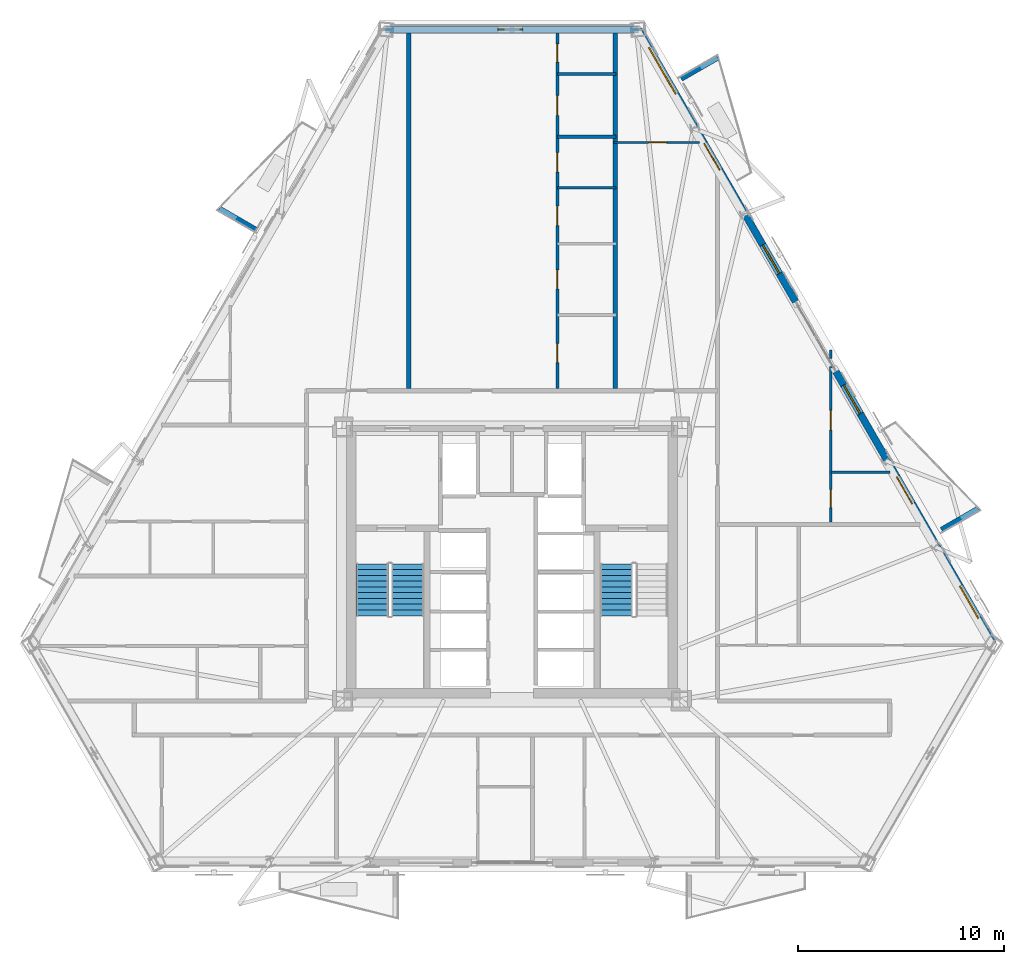
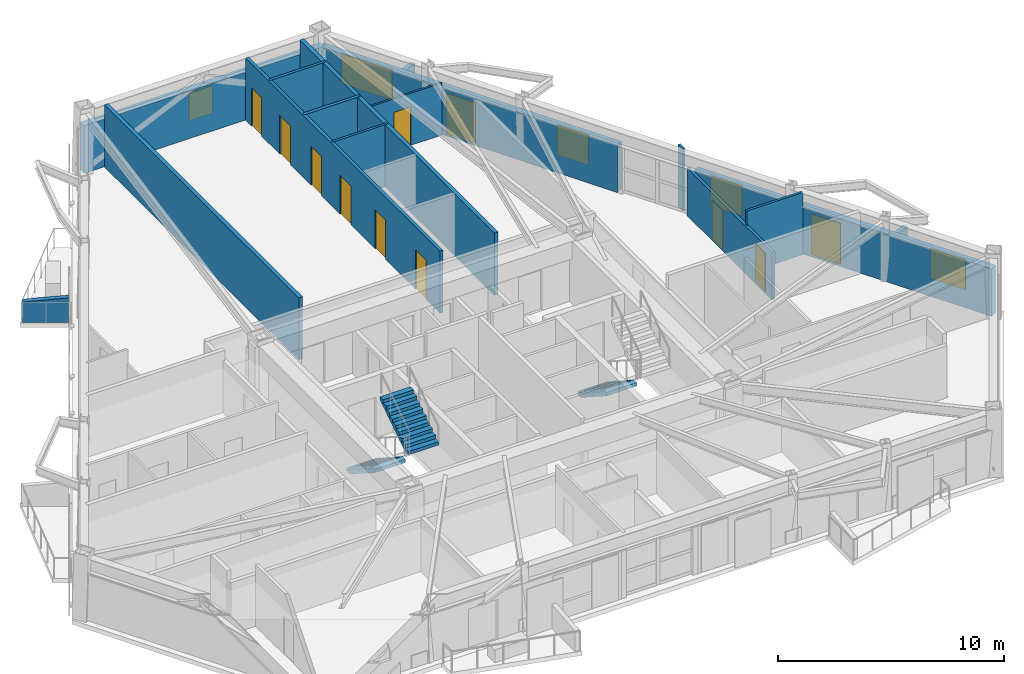
# One storey, part 10 of 15: 16 walls, 11 doors, 5 windows, 3 stair flights, 16 openings, 2 elements without a shape of their own.
"""IFC4 building model written with IfcOpenShell, lengths in metres."""

from ifc_helpers import new_model, si_unit, direction, frame, frame_2d, origin, place, context, subcontext, project, spatial, polyline, rectangle, outline, extrude, material, layer, layer_set, type_object, element, fill, aggregate, save


model = new_model("IFC4")

# Units and contexts
model_context = context("Model", 3, precision=1e-05, world=origin(), true_north=direction((0.0, 1.0)))
body_context = subcontext(model_context, "Body", "Model", "MODEL_VIEW")
ifc_project = project(units=[si_unit("LENGTHUNIT", "METRE"), si_unit("AREAUNIT", "SQUARE_METRE"), si_unit("VOLUMEUNIT", "CUBIC_METRE"), si_unit("PLANEANGLEUNIT", "RADIAN"), si_unit("MASSUNIT", "GRAM", prefix="KILO")], contexts=[model_context])

# Site, building, storey
site_placement = place(None, origin())
site = spatial("IfcSite", under=ifc_project, at=site_placement, CompositionType="ELEMENT")
building_placement = place(site_placement, origin())
building = spatial("IfcBuilding", under=site, at=building_placement, Name="Oramaril Tower", CompositionType="ELEMENT")
storey_placement = place(building_placement, frame((0.0, 0.0, 93.300048828125)))
storey = spatial("IfcBuildingStorey", under=building, at=storey_placement, Name="L24", CompositionType="ELEMENT", Elevation=93.300048828125)

# Wall, openings, door, windows
ifc_material_1 = material(Name="Warm Cream Limestone", Category="masonry")
ifc_layer_1 = layer(ifc_material_1, 0.340087890625)
ifc_layer_set_1 = layer_set([ifc_layer_1], Name="WT-EXT34")
wall_type_1 = type_object("IfcWallType", Name="WT-EXT34", PredefinedType="SOLIDWALL", material=ifc_layer_set_1)
wall_1_placement = place(storey_placement, frame((60.802734375, 13.71826171875, 0.0), z_axis=(0.0, 0.0, 1.0), x_axis=(-0.499996310492, 0.866027533913, 0.0)))
wall_1 = element("IfcWall", 1, at=wall_1_placement, inside=storey, type_object=wall_type_1, Name="L24 Tower Limestone Facade Wall 4L", PredefinedType="SOLIDWALL", context=body_context, shape_type="SweptSolid", body=[
    extrude(rectangle(XDim=15.22802734375, YDim=0.340087890625, at=frame_2d((7.614013671875, 0.0))), origin(), (0.0, 0.0, 1.0), 2.577880859375),
])
opening_1_placement = place(wall_1_placement, frame((7.824462890625, 0.0, 0.0)))
opening_1 = element("IfcOpeningElement", 2, at=opening_1_placement, cuts=wall_1, Name="Opening D-L24-BAL-NE1", PredefinedType="OPENING", context=body_context, shape_type="SweptSolid", body=[
    extrude(rectangle(XDim=1.5, YDim=2.199951171875, at=frame_2d((0.75, 1.10009765625))), frame((0.0, 0.169921875, 0.0), z_axis=(0.0, -1.0, 0.0), x_axis=(1.0, 0.0, 0.0)), (0.0, 0.0, 1.0), 0.340087890625),
])
opening_2_placement = place(wall_1_placement, frame((1.4169921875, 0.0, 0.85009765625)))
opening_2 = element("IfcOpeningElement", 3, at=opening_2_placement, cuts=wall_1, Name="Opening WN-06", PredefinedType="OPENING", context=body_context, shape_type="SweptSolid", body=[
    extrude(rectangle(XDim=1.800048828125, YDim=1.617919921875, at=frame_2d((0.89990234375, 0.80908203125))), frame((0.0, 0.169921875, 0.0), z_axis=(0.0, -1.0, 0.0), x_axis=(1.0, 0.0, 0.0)), (0.0, 0.0, 1.0), 0.340087890625),
])
opening_3_placement = place(wall_1_placement, frame((12.86328125, 0.0, 0.85009765625)))
opening_3 = element("IfcOpeningElement", 4, at=opening_3_placement, cuts=wall_1, Name="Opening WN-07", PredefinedType="OPENING", context=body_context, shape_type="SweptSolid", body=[
    extrude(rectangle(XDim=1.60009765625, YDim=1.617919921875, at=frame_2d((0.800048828125, 0.80908203125))), frame((0.0, 0.169921875, 0.0), z_axis=(0.0, -1.0, 0.0), x_axis=(1.0, 0.0, 0.0)), (0.0, 0.0, 1.0), 0.340087890625),
])
ifc_material_2 = material(Name="Anodised Aluminium 6063-T6", Category="aluminium")
door_type_1 = type_object("IfcDoorType", Name="DT-BAL", OperationType="NOTDEFINED", PredefinedType="DOOR", material=ifc_material_2)
door_1_placement = place(opening_1_placement, origin())
door_1 = element("IfcDoor", 5, at=door_1_placement, inside=storey, type_object=door_type_1, Name="L24 Balcony Glazed Door L24-BAL-NE1", OperationType="SINGLE_SWING_LEFT", OverallHeight=2.199951171875, OverallWidth=1.5, PredefinedType="DOOR", context=body_context, shape_type="SweptSolid", body=[
    extrude(rectangle(XDim=1.5, YDim=2.199951171875, at=frame_2d((0.75, 1.10009765625))), frame((0.0, 0.02490234375, 0.0), z_axis=(0.0, -1.0, 0.0), x_axis=(1.0, 0.0, 0.0)), (0.0, 0.0, 1.0), 0.050048828125),
])
fill(opening_1, door_1)
ifc_material_3 = material(Name="Coastal Low-E Insulated Glass", Category="glass")
window_type_1 = type_object("IfcWindowType", Name="WNT-06", PartitioningType="SINGLE_PANEL", PredefinedType="WINDOW", material=ifc_material_3)
window_1_placement = place(opening_2_placement, origin())
window_1 = element("IfcWindow", 6, at=window_1_placement, inside=storey, type_object=window_type_1, Name="L24 Chicago Bay Window WN-06", OverallHeight=1.617919921875, OverallWidth=1.800048828125, PartitioningType="SINGLE_PANEL", PredefinedType="WINDOW", context=body_context, shape_type="SweptSolid", body=[
    extrude(rectangle(XDim=1.800048828125, YDim=1.617919921875, at=frame_2d((0.89990234375, 0.80908203125))), frame((0.0, 0.030029296875, 0.0), z_axis=(0.0, -1.0, 0.0), x_axis=(1.0, 0.0, 0.0)), (0.0, 0.0, 1.0), 0.06005859375),
])
fill(opening_2, window_1)
ifc_material_4 = material(Name="Coastal Low-E Insulated Glass", Category="glass")
window_type_2 = type_object("IfcWindowType", Name="WNT-07", PartitioningType="SINGLE_PANEL", PredefinedType="WINDOW", material=ifc_material_4)
window_2_placement = place(opening_3_placement, origin())
window_2 = element("IfcWindow", 7, at=window_2_placement, inside=storey, type_object=window_type_2, Name="L24 Chicago Bay Window WN-07", OverallHeight=1.617919921875, OverallWidth=1.60009765625, PartitioningType="SINGLE_PANEL", PredefinedType="WINDOW", context=body_context, shape_type="SweptSolid", body=[
    extrude(rectangle(XDim=1.60009765625, YDim=1.617919921875, at=frame_2d((0.800048828125, 0.80908203125))), frame((0.0, 0.030029296875, 0.0), z_axis=(0.0, -1.0, 0.0), x_axis=(1.0, 0.0, 0.0)), (0.0, 0.0, 1.0), 0.06005859375),
])
fill(opening_3, window_2)

wall_2_placement = place(storey_placement, frame((51.23876953125, 30.28369140625, 0.0), z_axis=(0.0, 0.0, 1.0), x_axis=(-0.499996310492, 0.866027533913, 0.0)))
wall_2 = element("IfcWall", 8, at=wall_2_placement, inside=storey, type_object=wall_type_1, Name="L24 Tower Limestone Facade Wall 4R", PredefinedType="SOLIDWALL", context=body_context, shape_type="SweptSolid", body=[
    extrude(rectangle(XDim=15.22802734375, YDim=0.340087890625, at=frame_2d((7.614013671875, 0.0))), origin(), (0.0, 0.0, 1.0), 2.577880859375),
])
opening_4_placement = place(wall_2_placement, frame((7.35888671875, 0.0, 0.0)))
opening_4 = element("IfcOpeningElement", 9, at=opening_4_placement, cuts=wall_2, Name="Opening D-L24-BAL-NE2", PredefinedType="OPENING", context=body_context, shape_type="SweptSolid", body=[
    extrude(rectangle(XDim=1.5, YDim=2.199951171875, at=frame_2d((0.75, 1.10009765625))), frame((0.0, 0.169921875, 0.0), z_axis=(0.0, -1.0, 0.0), x_axis=(1.0, 0.0, 0.0)), (0.0, 0.0, 1.0), 0.340087890625),
])
opening_5_placement = place(wall_2_placement, frame((1.578857421875, 0.0, 0.85009765625)))
opening_5 = element("IfcOpeningElement", 10, at=opening_5_placement, cuts=wall_2, Name="Opening WN-07", PredefinedType="OPENING", context=body_context, shape_type="SweptSolid", body=[
    extrude(rectangle(XDim=1.60009765625, YDim=1.617919921875, at=frame_2d((0.800048828125, 0.80908203125))), frame((0.0, 0.169921875, 0.0), z_axis=(0.0, -1.0, 0.0), x_axis=(1.0, 0.0, 0.0)), (0.0, 0.0, 1.0), 0.340087890625),
])
opening_6_placement = place(wall_2_placement, frame((11.614501953125, 0.0, 0.85009765625)))
opening_6 = element("IfcOpeningElement", 11, at=opening_6_placement, cuts=wall_2, Name="Opening WN-02", PredefinedType="OPENING", context=body_context, shape_type="SweptSolid", body=[
    extrude(rectangle(XDim=2.60009765625, YDim=1.617919921875, at=frame_2d((1.300048828125, 0.80908203125))), frame((0.0, 0.169921875, 0.0), z_axis=(0.0, -1.0, 0.0), x_axis=(1.0, 0.0, 0.0)), (0.0, 0.0, 1.0), 0.340087890625),
])
door_2_placement = place(opening_4_placement, origin())
door_2 = element("IfcDoor", 12, at=door_2_placement, inside=storey, type_object=door_type_1, Name="L24 Balcony Glazed Door L24-BAL-NE2", OperationType="SINGLE_SWING_RIGHT", OverallHeight=2.199951171875, OverallWidth=1.5, PredefinedType="DOOR", context=body_context, shape_type="SweptSolid", body=[
    extrude(rectangle(XDim=1.5, YDim=2.199951171875, at=frame_2d((0.75, 1.10009765625))), frame((0.0, 0.02490234375, 0.0), z_axis=(0.0, -1.0, 0.0), x_axis=(1.0, 0.0, 0.0)), (0.0, 0.0, 1.0), 0.050048828125),
])
fill(opening_4, door_2)
ifc_material_5 = material(Name="Coastal Low-E Insulated Glass", Category="glass")
window_type_3 = type_object("IfcWindowType", Name="WNT-02", PartitioningType="SINGLE_PANEL", PredefinedType="WINDOW", material=ifc_material_5)
window_3_placement = place(opening_6_placement, origin())
window_3 = element("IfcWindow", 13, at=window_3_placement, inside=storey, type_object=window_type_3, Name="L24 Chicago Bay Window WN-02", OverallHeight=1.617919921875, OverallWidth=2.60009765625, PartitioningType="SINGLE_PANEL", PredefinedType="WINDOW", context=body_context, shape_type="SweptSolid", body=[
    extrude(rectangle(XDim=2.60009765625, YDim=1.617919921875, at=frame_2d((1.300048828125, 0.80908203125))), frame((0.0, 0.030029296875, 0.0), z_axis=(0.0, -1.0, 0.0), x_axis=(1.0, 0.0, 0.0)), (0.0, 0.0, 1.0), 0.06005859375),
])
fill(opening_6, window_3)
window_4_placement = place(opening_5_placement, origin())
window_4 = element("IfcWindow", 14, at=window_4_placement, inside=storey, type_object=window_type_2, Name="L24 Chicago Bay Window WN-07", OverallHeight=1.617919921875, OverallWidth=1.60009765625, PartitioningType="SINGLE_PANEL", PredefinedType="WINDOW", context=body_context, shape_type="SweptSolid", body=[
    extrude(rectangle(XDim=1.60009765625, YDim=1.617919921875, at=frame_2d((0.800048828125, 0.80908203125))), frame((0.0, 0.030029296875, 0.0), z_axis=(0.0, -1.0, 0.0), x_axis=(1.0, 0.0, 0.0)), (0.0, 0.0, 1.0), 0.06005859375),
])
fill(opening_5, window_4)

# Wall, opening, window
wall_3_placement = place(storey_placement, frame((43.624755859375, 43.4716796875, 0.0), z_axis=(0.0, 0.0, 1.0), x_axis=(-1.0, 0.0, 0.0)))
wall_3 = element("IfcWall", 15, at=wall_3_placement, inside=storey, type_object=wall_type_1, Name="L24 Tower Limestone Facade Wall 5M", PredefinedType="SOLIDWALL", context=body_context, shape_type="SweptSolid", body=[
    extrude(rectangle(XDim=12.24951171875, YDim=0.340087890625, at=frame_2d((6.124755859375, 0.0))), origin(), (0.0, 0.0, 1.0), 2.577880859375),
])
opening_7_placement = place(wall_3_placement, frame((5.60400390625, 0.0, 0.85009765625)))
opening_7 = element("IfcOpeningElement", 16, at=opening_7_placement, cuts=wall_3, Name="Opening WN-09", PredefinedType="OPENING", context=body_context, shape_type="SweptSolid", body=[
    extrude(rectangle(XDim=1.199951171875, YDim=1.47998046875, at=frame_2d((0.60009765625, 0.739990234375))), frame((0.0, 0.169921875, 0.0), z_axis=(0.0, -1.0, 0.0), x_axis=(1.0, 0.0, 0.0)), (0.0, 0.0, 1.0), 0.340087890625),
])
ifc_material_6 = material(Name="Coastal Low-E Insulated Glass", Category="glass")
window_type_4 = type_object("IfcWindowType", Name="WNT-09", PartitioningType="SINGLE_PANEL", PredefinedType="WINDOW", material=ifc_material_6)
window_5_placement = place(opening_7_placement, origin())
window_5 = element("IfcWindow", 17, at=window_5_placement, inside=storey, type_object=window_type_4, Name="L24 Apartment Bedroom Window WN-09", OverallHeight=1.47998046875, OverallWidth=1.199951171875, PartitioningType="SINGLE_PANEL", PredefinedType="WINDOW", context=body_context, shape_type="SweptSolid", body=[
    extrude(rectangle(XDim=1.199951171875, YDim=1.47998046875, at=frame_2d((0.60009765625, 0.739990234375))), frame((0.0, 0.030029296875, 0.0), z_axis=(0.0, -1.0, 0.0), x_axis=(1.0, 0.0, 0.0)), (0.0, 0.0, 1.0), 0.06005859375),
])
fill(opening_7, window_5)

# Walls
ifc_material_7 = material(Name="Concrete C40/50", Category="concrete")
ifc_layer_2 = layer(ifc_material_7, 0.22998046875)
ifc_layer_set_2 = layer_set([ifc_layer_2], Name="WT-PRP23")
wall_type_2 = type_object("IfcWallType", Name="WT-PRP23", PredefinedType="PARAPET", material=ifc_layer_set_2)
for number, where, z_axis, x_axis, name in (
    (18, (58.301025390625, 19.24755859375, 0.0), (0.0, 0.0, 1.0), (0.866012356593, 0.500022597718, 0.0), "L24 Trapezoidal Balcony Frame Cheek L24-BAL-NE1-L"),
    (19, (45.69970703125, 41.073486328125, 0.0), (0.0, 0.0, 1.0), (0.866042246008, 0.499970827278, 0.0), "L24 Trapezoidal Balcony Frame Cheek L24-BAL-NE2-R"),
    (20, (25.0927734375, 33.785888671875, 0.0), (0.0, 0.0, 1.0), (-0.866042246008, 0.499970827278, 0.0), "L24 Trapezoidal Balcony Frame Cheek L24-BAL-NW1-R"),
):
    element("IfcWall", number, at=place(storey_placement, frame(where, z_axis=z_axis, x_axis=x_axis)), inside=storey, type_object=wall_type_2, Name=name, PredefinedType="PARAPET", context=body_context, shape_type="SweptSolid", body=[
        extrude(outline(polyline([(0.0, 0.0), (2.0419921875, 0.0), (2.0419921875, 1.099853515625), (0.0, 1.320068359375), (0.0, 0.0)])), frame((0.0, 0.114990234375, 0.0), z_axis=(0.0, -1.0, 0.0), x_axis=(1.0, 0.0, 0.0)), (0.0, 0.0, 1.0), 0.22998046875),
    ])

# Wall, opening, door
ifc_material_8 = material(Name="Acoustic Gypsum Board Partition")
ifc_layer_3 = layer(ifc_material_8, 0.10009765625)
ifc_layer_set_3 = layer_set([ifc_layer_3], Name="WT-PT10")
wall_type_3 = type_object("IfcWallType", Name="WT-PT10", PredefinedType="PARTITIONING", material=ifc_layer_set_3)
wall_4_placement = place(storey_placement, frame((42.41796875, 38.0, 0.0), z_axis=(0.0, 0.0, 1.0), x_axis=(1.0, 0.0, 0.0)))
wall_4 = element("IfcWall", 21, at=wall_4_placement, inside=storey, type_object=wall_type_3, Name="L24 Interior Partition PT-10", PredefinedType="PARTITIONING", context=body_context, shape_type="SweptSolid", body=[
    extrude(rectangle(XDim=4.1650390625, YDim=0.10009765625, at=frame_2d((2.08251953125, 0.0))), origin(), (0.0, 0.0, 1.0), 2.81396484375),
])
opening_8_placement = place(wall_4_placement, frame((1.697509765625, 0.0, 0.0)))
opening_8 = element("IfcOpeningElement", 22, at=opening_8_placement, cuts=wall_4, Name="Opening D-L24-17", PredefinedType="OPENING", context=body_context, shape_type="SweptSolid", body=[
    extrude(rectangle(XDim=0.8798828125, YDim=2.080078125, at=frame_2d((0.43994140625, 1.0400390625))), frame((0.0, 0.050048828125, 0.0), z_axis=(0.0, -1.0, 0.0), x_axis=(1.0, 0.0, 0.0)), (0.0, 0.0, 1.0), 0.10009765625),
])
ifc_material_9 = material(Name="FSC Brazilian Freijo Hardwood", Category="wood")
door_type_2 = type_object("IfcDoorType", Name="DT-BATH", OperationType="NOTDEFINED", PredefinedType="DOOR", material=ifc_material_9)
door_3_placement = place(opening_8_placement, origin())
door_3 = element("IfcDoor", 23, at=door_3_placement, inside=storey, type_object=door_type_2, Name="L24 Flat L24-U10 Bathroom Door D-L24-17", OperationType="SINGLE_SWING_LEFT", OverallHeight=2.080078125, OverallWidth=0.8798828125, PredefinedType="DOOR", context=body_context, shape_type="SweptSolid", body=[
    extrude(rectangle(XDim=0.8798828125, YDim=2.080078125, at=frame_2d((0.43994140625, 1.0400390625))), frame((0.0, 0.02490234375, 0.0), z_axis=(0.0, -1.0, 0.0), x_axis=(1.0, 0.0, 0.0)), (0.0, 0.0, 1.0), 0.050048828125),
])
fill(opening_8, door_3)

# Walls
ifc_material_10 = material(Name="Acoustic Gypsum Board Partition")
ifc_layer_4 = layer(ifc_material_10, 0.1201171875)
ifc_layer_set_4 = layer_set([ifc_layer_4], Name="WT-PT12")
wall_type_4 = type_object("IfcWallType", Name="WT-PT12", PredefinedType="PARTITIONING", material=ifc_layer_set_4)
wall_5_placement = place(storey_placement, frame((52.94140625, 22.02001953125, 0.0), z_axis=(0.0, 0.0, 1.0), x_axis=(1.0, 0.0, 0.0)))
element("IfcWall", 24, at=wall_5_placement, inside=storey, type_object=wall_type_4, Name="L24 Interior Partition PT-12", PredefinedType="PARTITIONING", context=body_context, shape_type="SweptSolid", body=[
    extrude(rectangle(XDim=2.867431640625, YDim=0.1201171875, at=frame_2d((1.43359375, 0.0))), origin(), (0.0, 0.0, 1.0), 3.35986328125),
])
wall_6_placement = place(storey_placement, frame((39.699951171875, 35.800048828125, 0.0), z_axis=(0.0, 0.0, 1.0), x_axis=(1.0, 0.0, 0.0)))
element("IfcWall", 25, at=wall_6_placement, inside=storey, type_object=wall_type_4, Name="L24 Interior Partition PT-12", PredefinedType="PARTITIONING", context=body_context, shape_type="SweptSolid", body=[
    extrude(rectangle(XDim=2.85009765625, YDim=0.1201171875, at=frame_2d((1.425048828125, 0.0))), origin(), (0.0, 0.0, 1.0), 3.35986328125),
])
wall_7_placement = place(storey_placement, frame((52.93994140625, 27.525146484375, 0.0), z_axis=(0.0, 0.0, 1.0), x_axis=(0.0, 1.0, 0.0)))
element("IfcWall", 26, at=wall_7_placement, inside=storey, type_object=wall_type_4, Name="L24 Interior Partition PT-12", PredefinedType="PARTITIONING", context=body_context, shape_type="SweptSolid", body=[
    extrude(rectangle(XDim=0.411865234375, YDim=0.1201171875, at=frame_2d((0.2060546875, 0.0))), origin(), (0.0, 0.0, 1.0), 3.35986328125),
])
ifc_material_11 = material(Name="Acoustic Gypsum Board Partition")
ifc_layer_5 = layer(ifc_material_11, 0.139892578125)
ifc_layer_set_5 = layer_set([ifc_layer_5], Name="WT-PT14")
wall_type_5 = type_object("IfcWallType", Name="WT-PT14", PredefinedType="PARTITIONING", material=ifc_layer_set_5)
wall_8_placement = place(storey_placement, frame((39.699951171875, 41.320068359375, 0.0), z_axis=(0.0, 0.0, 1.0), x_axis=(1.0, 0.0, 0.0)))
element("IfcWall", 27, at=wall_8_placement, inside=storey, type_object=wall_type_5, Name="L24 Interior Partition PT-14", PredefinedType="PARTITIONING", context=body_context, shape_type="SweptSolid", body=[
    extrude(rectangle(XDim=2.85009765625, YDim=0.139892578125, at=frame_2d((1.425048828125, 0.0))), origin(), (0.0, 0.0, 1.0), 3.35986328125),
])

# Wall, openings, doors
wall_9_placement = place(storey_placement, frame((52.93994140625, 19.60400390625, 0.0), z_axis=(0.0, 0.0, 1.0), x_axis=(0.0, 1.0, 0.0)))
wall_9 = element("IfcWall", 28, at=wall_9_placement, inside=storey, type_object=wall_type_5, Name="L24 Interior Partition PT-14", PredefinedType="PARTITIONING", context=body_context, shape_type="SweptSolid", body=[
    extrude(rectangle(XDim=7.545166015625, YDim=0.139892578125, at=frame_2d((3.7724609375, 0.0))), origin(), (0.0, 0.0, 1.0), 2.577880859375),
])
opening_9_placement = place(wall_9_placement, frame((0.700927734375, 0.0, 0.0)))
opening_9 = element("IfcOpeningElement", 29, at=opening_9_placement, cuts=wall_9, Name="Opening D-L24-33", PredefinedType="OPENING", context=body_context, shape_type="SweptSolid", body=[
    extrude(rectangle(XDim=0.8798828125, YDim=2.080078125, at=frame_2d((0.43994140625, 1.0400390625))), frame((0.0, 0.06982421875, 0.0), z_axis=(0.0, -1.0, 0.0), x_axis=(1.0, 0.0, 0.0)), (0.0, 0.0, 1.0), 0.139892578125),
])
opening_10_placement = place(wall_9_placement, frame((4.463134765625, 0.0, 0.0)))
opening_10 = element("IfcOpeningElement", 30, at=opening_10_placement, cuts=wall_9, Name="Opening D-L24-34", PredefinedType="OPENING", context=body_context, shape_type="SweptSolid", body=[
    extrude(rectangle(XDim=0.949951171875, YDim=2.10009765625, at=frame_2d((0.47509765625, 1.050048828125))), frame((0.0, 0.06982421875, 0.0), z_axis=(0.0, -1.0, 0.0), x_axis=(1.0, 0.0, 0.0)), (0.0, 0.0, 1.0), 0.139892578125),
])
door_4_placement = place(opening_9_placement, origin())
door_4 = element("IfcDoor", 31, at=door_4_placement, inside=storey, type_object=door_type_2, Name="L24 Flat L24-U7 Bathroom Door D-L24-33", OperationType="SINGLE_SWING_LEFT", OverallHeight=2.080078125, OverallWidth=0.8798828125, PredefinedType="DOOR", context=body_context, shape_type="SweptSolid", body=[
    extrude(rectangle(XDim=0.8798828125, YDim=2.080078125, at=frame_2d((0.43994140625, 1.0400390625))), frame((0.0, 0.02490234375, 0.0), z_axis=(0.0, -1.0, 0.0), x_axis=(1.0, 0.0, 0.0)), (0.0, 0.0, 1.0), 0.050048828125),
])
fill(opening_9, door_4)
ifc_material_12 = material(Name="FSC Brazilian Freijo Hardwood", Category="wood")
door_type_3 = type_object("IfcDoorType", Name="DT-STDY", OperationType="NOTDEFINED", PredefinedType="DOOR", material=ifc_material_12)
door_5_placement = place(opening_10_placement, origin())
door_5 = element("IfcDoor", 32, at=door_5_placement, inside=storey, type_object=door_type_3, Name="L24 Flat L24-U7 Kitchen Door D-L24-34", OperationType="SINGLE_SWING_RIGHT", OverallHeight=2.10009765625, OverallWidth=0.949951171875, PredefinedType="DOOR", context=body_context, shape_type="SweptSolid", body=[
    extrude(rectangle(XDim=0.949951171875, YDim=2.10009765625, at=frame_2d((0.47509765625, 1.050048828125))), frame((0.0, 0.02490234375, 0.0), z_axis=(0.0, -1.0, 0.0), x_axis=(1.0, 0.0, 0.0)), (0.0, 0.0, 1.0), 0.050048828125),
])
fill(opening_10, door_5)

# Wall
ifc_material_13 = material(Name="Acoustic Gypsum Board Partition")
ifc_layer_6 = layer(ifc_material_13, 0.159912109375)
ifc_layer_set_6 = layer_set([ifc_layer_6], Name="WT-PT16")
wall_type_6 = type_object("IfcWallType", Name="WT-PT16", PredefinedType="PARTITIONING", material=ifc_layer_set_6)
wall_10_placement = place(storey_placement, frame((39.699951171875, 38.27001953125, 0.0), z_axis=(0.0, 0.0, 1.0), x_axis=(1.0, 0.0, 0.0)))
element("IfcWall", 33, at=wall_10_placement, inside=storey, type_object=wall_type_6, Name="L24 Interior Partition PT-16", PredefinedType="PARTITIONING", context=body_context, shape_type="SweptSolid", body=[
    extrude(rectangle(XDim=2.85009765625, YDim=0.159912109375, at=frame_2d((1.425048828125, 0.0))), origin(), (0.0, 0.0, 1.0), 3.35986328125),
])

# Wall, openings, doors
wall_11_placement = place(storey_placement, frame((39.699951171875, 26.073974609375, 0.0), z_axis=(0.0, 0.0, 1.0), x_axis=(0.0, 1.0, 0.0)))
wall_11 = element("IfcWall", 34, at=wall_11_placement, inside=storey, type_object=wall_type_6, Name="L24 Interior Partition PT-16", PredefinedType="PARTITIONING", context=body_context, shape_type="SweptSolid", body=[
    extrude(rectangle(XDim=17.2236328125, YDim=0.159912109375, at=frame_2d((8.61181640625, 0.0))), origin(), (0.0, 0.0, 1.0), 3.35986328125),
])
opening_11_placement = place(wall_11_placement, frame((1.2548828125, 0.0, 0.0)))
opening_11 = element("IfcOpeningElement", 35, at=opening_11_placement, cuts=wall_11, Name="Opening D-L24-25", PredefinedType="OPENING", context=body_context, shape_type="SweptSolid", body=[
    extrude(rectangle(XDim=0.919921875, YDim=2.1201171875, at=frame_2d((0.4599609375, 1.06005859375))), frame((0.0, 0.080078125, 0.0), z_axis=(0.0, -1.0, 0.0), x_axis=(1.0, 0.0, 0.0)), (0.0, 0.0, 1.0), 0.159912109375),
])
opening_12_placement = place(wall_11_placement, frame((4.82958984375, 0.0, 0.0)))
opening_12 = element("IfcOpeningElement", 36, at=opening_12_placement, cuts=wall_11, Name="Opening D-L24-26", PredefinedType="OPENING", context=body_context, shape_type="SweptSolid", body=[
    extrude(rectangle(XDim=0.919921875, YDim=2.1201171875, at=frame_2d((0.4599609375, 1.06005859375))), frame((0.0, 0.080078125, 0.0), z_axis=(0.0, -1.0, 0.0), x_axis=(1.0, 0.0, 0.0)), (0.0, 0.0, 1.0), 0.159912109375),
])
opening_13_placement = place(wall_11_placement, frame((7.89599609375, 0.0, 0.0)))
opening_13 = element("IfcOpeningElement", 37, at=opening_13_placement, cuts=wall_11, Name="Opening D-L24-27", PredefinedType="OPENING", context=body_context, shape_type="SweptSolid", body=[
    extrude(rectangle(XDim=0.949951171875, YDim=2.10009765625, at=frame_2d((0.47509765625, 1.050048828125))), frame((0.0, 0.080078125, 0.0), z_axis=(0.0, -1.0, 0.0), x_axis=(1.0, 0.0, 0.0)), (0.0, 0.0, 1.0), 0.159912109375),
])
opening_14_placement = place(wall_11_placement, frame((10.484375, 0.0, 0.0)))
opening_14 = element("IfcOpeningElement", 38, at=opening_14_placement, cuts=wall_11, Name="Opening D-L24-28", PredefinedType="OPENING", context=body_context, shape_type="SweptSolid", body=[
    extrude(rectangle(XDim=0.949951171875, YDim=2.10009765625, at=frame_2d((0.47509765625, 1.050048828125))), frame((0.0, 0.080078125, 0.0), z_axis=(0.0, -1.0, 0.0), x_axis=(1.0, 0.0, 0.0)), (0.0, 0.0, 1.0), 0.159912109375),
])
opening_15_placement = place(wall_11_placement, frame((13.241943359375, 0.0, 0.0)))
opening_15 = element("IfcOpeningElement", 39, at=opening_15_placement, cuts=wall_11, Name="Opening D-L24-29", PredefinedType="OPENING", context=body_context, shape_type="SweptSolid", body=[
    extrude(rectangle(XDim=0.949951171875, YDim=2.10009765625, at=frame_2d((0.47509765625, 1.050048828125))), frame((0.0, 0.080078125, 0.0), z_axis=(0.0, -1.0, 0.0), x_axis=(1.0, 0.0, 0.0)), (0.0, 0.0, 1.0), 0.159912109375),
])
opening_16_placement = place(wall_11_placement, frame((15.81982421875, 0.0, 0.0)))
opening_16 = element("IfcOpeningElement", 40, at=opening_16_placement, cuts=wall_11, Name="Opening D-L24-30", PredefinedType="OPENING", context=body_context, shape_type="SweptSolid", body=[
    extrude(rectangle(XDim=0.8798828125, YDim=2.080078125, at=frame_2d((0.43994140625, 1.0400390625))), frame((0.0, 0.080078125, 0.0), z_axis=(0.0, -1.0, 0.0), x_axis=(1.0, 0.0, 0.0)), (0.0, 0.0, 1.0), 0.159912109375),
])
door_6_placement = place(opening_16_placement, origin())
door_6 = element("IfcDoor", 41, at=door_6_placement, inside=storey, type_object=door_type_2, Name="L24 Flat L24-U9 Bathroom Door D-L24-30", OperationType="SINGLE_SWING_RIGHT", OverallHeight=2.080078125, OverallWidth=0.8798828125, PredefinedType="DOOR", context=body_context, shape_type="SweptSolid", body=[
    extrude(rectangle(XDim=0.8798828125, YDim=2.080078125, at=frame_2d((0.43994140625, 1.0400390625))), frame((0.0, 0.02490234375, 0.0), z_axis=(0.0, -1.0, 0.0), x_axis=(1.0, 0.0, 0.0)), (0.0, 0.0, 1.0), 0.050048828125),
])
fill(opening_16, door_6)
ifc_material_14 = material(Name="FSC Brazilian Freijo Hardwood", Category="wood")
door_type_4 = type_object("IfcDoorType", Name="DT-BED", OperationType="NOTDEFINED", PredefinedType="DOOR", material=ifc_material_14)
door_7_placement = place(opening_11_placement, origin())
door_7 = element("IfcDoor", 42, at=door_7_placement, inside=storey, type_object=door_type_4, Name="L24 Flat L24-U9 Master Bedroom Door D-L24-25", OperationType="SINGLE_SWING_LEFT", OverallHeight=2.1201171875, OverallWidth=0.919921875, PredefinedType="DOOR", context=body_context, shape_type="SweptSolid", body=[
    extrude(rectangle(XDim=0.919921875, YDim=2.1201171875, at=frame_2d((0.4599609375, 1.06005859375))), frame((0.0, 0.02490234375, 0.0), z_axis=(0.0, -1.0, 0.0), x_axis=(1.0, 0.0, 0.0)), (0.0, 0.0, 1.0), 0.050048828125),
])
fill(opening_11, door_7)
door_8_placement = place(opening_12_placement, origin())
door_8 = element("IfcDoor", 43, at=door_8_placement, inside=storey, type_object=door_type_4, Name="L24 Flat L24-U9 Bedroom 2 Door D-L24-26", OperationType="SINGLE_SWING_RIGHT", OverallHeight=2.1201171875, OverallWidth=0.919921875, PredefinedType="DOOR", context=body_context, shape_type="SweptSolid", body=[
    extrude(rectangle(XDim=0.919921875, YDim=2.1201171875, at=frame_2d((0.4599609375, 1.06005859375))), frame((0.0, 0.02490234375, 0.0), z_axis=(0.0, -1.0, 0.0), x_axis=(1.0, 0.0, 0.0)), (0.0, 0.0, 1.0), 0.050048828125),
])
fill(opening_12, door_8)
door_9_placement = place(opening_13_placement, origin())
door_9 = element("IfcDoor", 44, at=door_9_placement, inside=storey, type_object=door_type_3, Name="L24 Flat L24-U9 Breakfast Dining Room Door D-L24-27", OperationType="SINGLE_SWING_LEFT", OverallHeight=2.10009765625, OverallWidth=0.949951171875, PredefinedType="DOOR", context=body_context, shape_type="SweptSolid", body=[
    extrude(rectangle(XDim=0.949951171875, YDim=2.10009765625, at=frame_2d((0.47509765625, 1.050048828125))), frame((0.0, 0.02490234375, 0.0), z_axis=(0.0, -1.0, 0.0), x_axis=(1.0, 0.0, 0.0)), (0.0, 0.0, 1.0), 0.050048828125),
])
fill(opening_13, door_9)
door_10_placement = place(opening_14_placement, origin())
door_10 = element("IfcDoor", 45, at=door_10_placement, inside=storey, type_object=door_type_3, Name="L24 Flat L24-U9 Private Dining Room Door D-L24-28", OperationType="SINGLE_SWING_RIGHT", OverallHeight=2.10009765625, OverallWidth=0.949951171875, PredefinedType="DOOR", context=body_context, shape_type="SweptSolid", body=[
    extrude(rectangle(XDim=0.949951171875, YDim=2.10009765625, at=frame_2d((0.47509765625, 1.050048828125))), frame((0.0, 0.02490234375, 0.0), z_axis=(0.0, -1.0, 0.0), x_axis=(1.0, 0.0, 0.0)), (0.0, 0.0, 1.0), 0.050048828125),
])
fill(opening_14, door_10)
door_11_placement = place(opening_15_placement, origin())
door_11 = element("IfcDoor", 46, at=door_11_placement, inside=storey, type_object=door_type_3, Name="L24 Flat L24-U9 Kitchen Door D-L24-29", OperationType="SINGLE_SWING_LEFT", OverallHeight=2.10009765625, OverallWidth=0.949951171875, PredefinedType="DOOR", context=body_context, shape_type="SweptSolid", body=[
    extrude(rectangle(XDim=0.949951171875, YDim=2.10009765625, at=frame_2d((0.47509765625, 1.050048828125))), frame((0.0, 0.02490234375, 0.0), z_axis=(0.0, -1.0, 0.0), x_axis=(1.0, 0.0, 0.0)), (0.0, 0.0, 1.0), 0.050048828125),
])
fill(opening_15, door_11)

# Walls
ifc_material_15 = material(Name="Autoclaved Cellular Concrete Block", Category="concrete")
ifc_layer_7 = layer(ifc_material_15, 0.199951171875)
ifc_layer_set_7 = layer_set([ifc_layer_7], Name="WT-PT20")
wall_type_7 = type_object("IfcWallType", Name="WT-PT20", PredefinedType="PARTITIONING", material=ifc_layer_set_7)
for number, where, z_axis, x_axis, name in (
    (47, (32.5, 26.073974609375, 0.0), (0.0, 0.0, 1.0), (0.0, 1.0, 0.0), "L24 Interior Partition PT-20"),
    (48, (42.5, 26.073974609375, 0.0), (0.0, 0.0, 1.0), (0.0, 1.0, 0.0), "L24 Interior Partition PT-20"),
):
    element("IfcWall", number, at=place(storey_placement, frame(where, z_axis=z_axis, x_axis=x_axis)), inside=storey, type_object=wall_type_7, Name=name, PredefinedType="PARTITIONING", context=body_context, shape_type="SweptSolid", body=[
        extrude(rectangle(XDim=17.2236328125, YDim=0.199951171875, at=frame_2d((8.61181640625, 0.0))), origin(), (0.0, 0.0, 1.0), 3.35986328125),
    ])

# Stair, stair flights
ifc_material_16 = material(Name="Concrete C50/60", Category="concrete")
stair_type = type_object("IfcStairType", Name="STT-DG-3600", PredefinedType="HALF_TURN_STAIR", material=ifc_material_16)
stair_1_placement = place(storey_placement, origin())
stair_1 = element("IfcStair", 49, at=stair_1_placement, inside=storey, type_object=stair_type, Name="L24 Protected PFP Exit Stair ST-1", PredefinedType="HALF_TURN_STAIR")
ifc_material_17 = material(Name="Concrete C50/60", Category="concrete")
stair_flight_type = type_object("IfcStairFlightType", Name="SFT-DG-3600", PredefinedType="STRAIGHT", material=ifc_material_17)
stair_flight_1_placement = place(storey_placement, frame((30.72998046875, 17.590087890625, 0.0), z_axis=(0.0, 0.0, 1.0), x_axis=(0.0, -1.0, 0.0)))
stair_flight_1 = element("IfcStairFlight", 50, at=stair_flight_1_placement, type_object=stair_flight_type, Name="ST-1 flight 1", NumberOfRisers=10, NumberOfTreads=9, PredefinedType="STRAIGHT", RiserHeight=0.18, TreadLength=0.28, context=body_context, shape_type="SweptSolid", body=[
    extrude(outline(polyline([(0.0, 0.0), (0.0, 0.179931640625), (0.280029296875, 0.179931640625), (0.280029296875, 0.360107421875), (0.56005859375, 0.360107421875), (0.56005859375, 0.5400390625), (0.840087890625, 0.5400390625), (0.840087890625, 0.719970703125), (1.1201171875, 0.719970703125), (1.1201171875, 0.89990234375), (1.39990234375, 0.89990234375), (1.39990234375, 1.080078125), (1.679931640625, 1.080078125), (1.679931640625, 1.260009765625), (1.9599609375, 1.260009765625), (1.9599609375, 1.43994140625), (2.239990234375, 1.43994140625), (2.239990234375, 1.6201171875), (2.52001953125, 1.6201171875), (2.52001953125, 1.800048828125), (2.52001953125, 1.44189453125), (0.277099609375, 0.0), (0.0, 0.0)])), frame((0.0, 0.780029296875, 0.0), z_axis=(0.0, -1.0, 0.0), x_axis=(1.0, 0.0, 0.0)), (0.0, 0.0, 1.0), 1.56005859375),
])
stair_flight_2_placement = place(storey_placement, frame((32.43994140625, 15.070068359375, 1.800048828125), z_axis=(0.0, 0.0, 1.0), x_axis=(0.0, 1.0, 0.0)))
stair_flight_2 = element("IfcStairFlight", 51, at=stair_flight_2_placement, type_object=stair_flight_type, Name="ST-1 flight 2", NumberOfRisers=10, NumberOfTreads=9, PredefinedType="STRAIGHT", RiserHeight=0.18, TreadLength=0.28, context=body_context, shape_type="SweptSolid", body=[
    extrude(outline(polyline([(0.0, 0.0), (0.0, 0.179931640625), (0.280029296875, 0.179931640625), (0.280029296875, 0.360107421875), (0.56005859375, 0.360107421875), (0.56005859375, 0.5400390625), (0.840087890625, 0.5400390625), (0.840087890625, 0.719970703125), (1.1201171875, 0.719970703125), (1.1201171875, 0.89990234375), (1.39990234375, 0.89990234375), (1.39990234375, 1.080078125), (1.679931640625, 1.080078125), (1.679931640625, 1.260009765625), (1.9599609375, 1.260009765625), (1.9599609375, 1.43994140625), (2.239990234375, 1.43994140625), (2.239990234375, 1.6201171875), (2.52001953125, 1.6201171875), (2.52001953125, 1.800048828125), (2.52001953125, 1.44189453125), (0.277099609375, 0.0), (0.0, 0.0)])), frame((0.0, 0.780029296875, 0.0), z_axis=(0.0, -1.0, 0.0), x_axis=(1.0, 0.0, 0.0)), (0.0, 0.0, 1.0), 1.56005859375),
])
aggregate(stair_1, [stair_flight_1, stair_flight_2])

# Stair, stair flight
stair_2_placement = place(storey_placement, origin())
stair_2 = element("IfcStair", 52, at=stair_2_placement, inside=storey, type_object=stair_type, Name="L24 Protected PFP Exit Stair ST-2", PredefinedType="HALF_TURN_STAIR")
stair_flight_3_placement = place(storey_placement, frame((42.56005859375, 17.590087890625, 0.0), z_axis=(0.0, 0.0, 1.0), x_axis=(0.0, -1.0, 0.0)))
stair_flight_3 = element("IfcStairFlight", 53, at=stair_flight_3_placement, type_object=stair_flight_type, Name="ST-2 flight 1", NumberOfRisers=10, NumberOfTreads=9, PredefinedType="STRAIGHT", RiserHeight=0.18, TreadLength=0.28, context=body_context, shape_type="SweptSolid", body=[
    extrude(outline(polyline([(0.0, 0.0), (0.0, 0.179931640625), (0.280029296875, 0.179931640625), (0.280029296875, 0.360107421875), (0.56005859375, 0.360107421875), (0.56005859375, 0.5400390625), (0.840087890625, 0.5400390625), (0.840087890625, 0.719970703125), (1.1201171875, 0.719970703125), (1.1201171875, 0.89990234375), (1.39990234375, 0.89990234375), (1.39990234375, 1.080078125), (1.679931640625, 1.080078125), (1.679931640625, 1.260009765625), (1.9599609375, 1.260009765625), (1.9599609375, 1.43994140625), (2.239990234375, 1.43994140625), (2.239990234375, 1.6201171875), (2.52001953125, 1.6201171875), (2.52001953125, 1.800048828125), (2.52001953125, 1.44189453125), (0.277099609375, 0.0), (0.0, 0.0)])), frame((0.0, 0.780029296875, 0.0), z_axis=(0.0, -1.0, 0.0), x_axis=(1.0, 0.0, 0.0)), (0.0, 0.0, 1.0), 1.56005859375),
])
aggregate(stair_2, [stair_flight_3])

save(model, "model.ifc")
